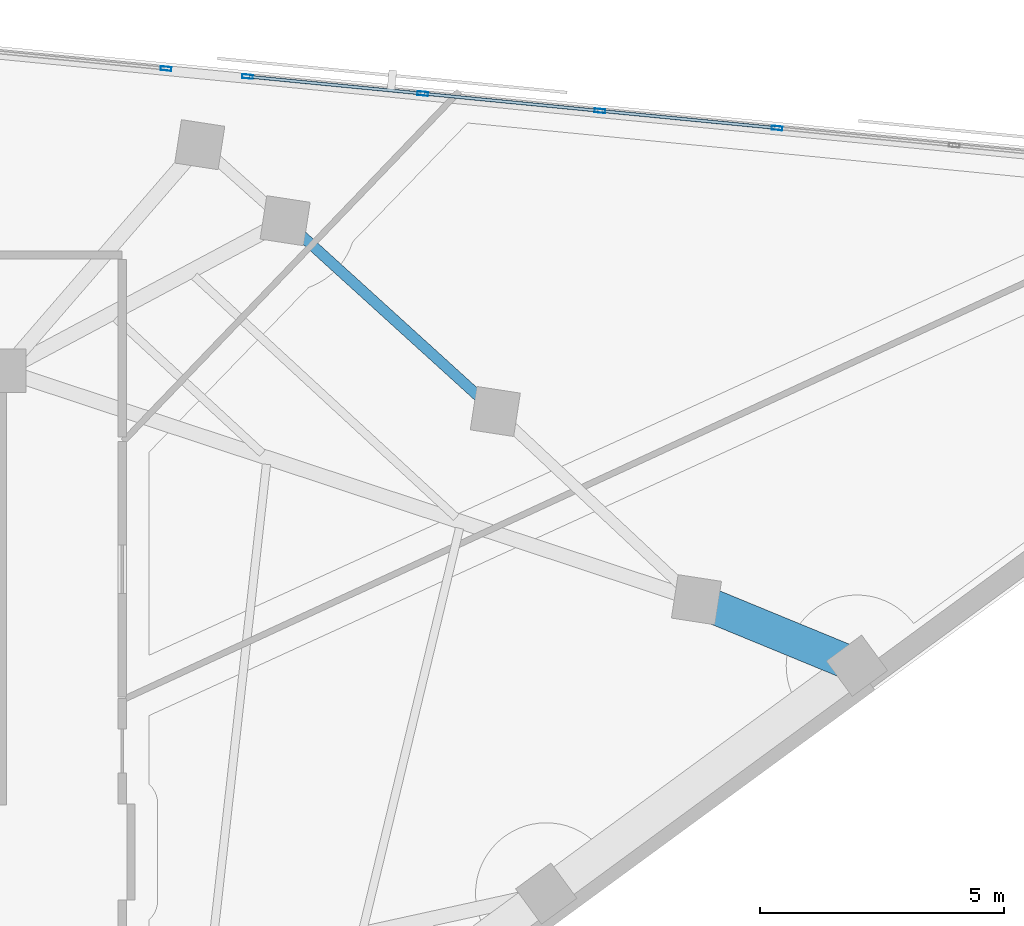
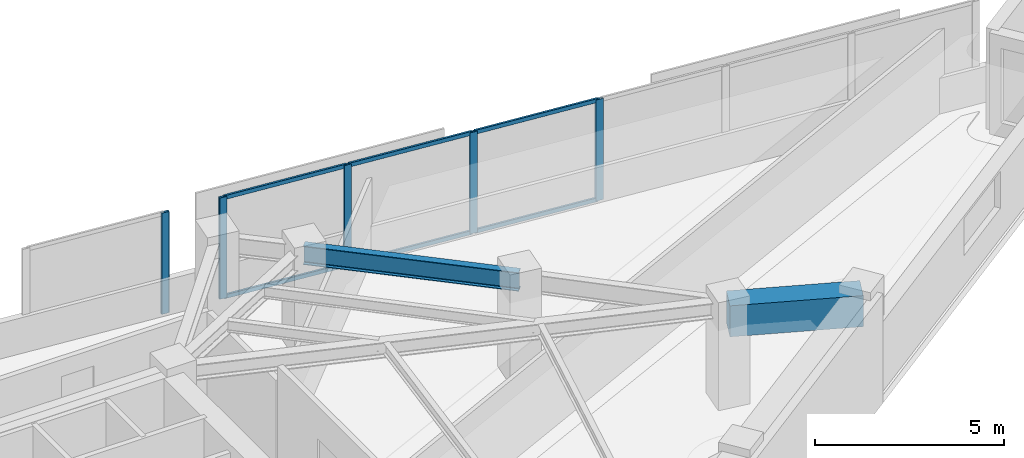
# One storey, part 5 of 13: 11 members, 2 beams, 2 elements without a shape of their own.
"""IFC4 building model written with IfcOpenShell, lengths in metres."""

from ifc_helpers import new_model, si_unit, direction, frame, origin, origin_2d, place, context, subcontext, project, spatial, rectangle, hollow_rectangle, i_section, extrude, material, material_profile, profile_set, type_object, element, aggregate, save


model = new_model("IFC4")

# Units and contexts
model_context = context("Model", 3, precision=1e-05, world=origin(), true_north=direction((0.0, 1.0)))
body_context = subcontext(model_context, "Body", "Model", "MODEL_VIEW")
ifc_project = project(units=[si_unit("LENGTHUNIT", "METRE"), si_unit("AREAUNIT", "SQUARE_METRE"), si_unit("VOLUMEUNIT", "CUBIC_METRE"), si_unit("PLANEANGLEUNIT", "RADIAN"), si_unit("MASSUNIT", "GRAM", prefix="KILO")], contexts=[model_context])

# Site, building, storey
site_placement = place(None, origin())
site = spatial("IfcSite", under=ifc_project, at=site_placement, CompositionType="ELEMENT")
building_placement = place(site_placement, origin())
building = spatial("IfcBuilding", under=site, at=building_placement, Name="Narakoshi Arena Tower", CompositionType="ELEMENT")
storey_placement = place(building_placement, frame((0.0, 0.0, 239.6201171875)))
storey = spatial("IfcBuildingStorey", under=building, at=storey_placement, Name="L65", CompositionType="ELEMENT", Elevation=239.6201171875)

# Beams
ifc_material_1 = material(Name="Concrete C60/75", Category="concrete")
ifc_material_profile_1 = material_profile(ifc_material_1, rectangle(XDim=0.699951171875, YDim=1.0, at=origin_2d()), Name="RCB700x1000")
ifc_profile_set_1 = profile_set([ifc_material_profile_1], Name="Concrete C60/75")
beam_type_1 = type_object("IfcBeamType", Name="BM-CPL-1000", PredefinedType="BEAM", material=ifc_profile_set_1)
beam_1_placement = place(storey_placement, frame((103.032470703125, 50.45361328125, 2.759765625), z_axis=(-0.924787502584, 0.380484001063, 0.0), x_axis=(-0.380484001063, -0.924787502584, 0.0)))
element("IfcBeam", 1, at=beam_1_placement, inside=storey, type_object=beam_type_1, Name="L65 Perimeter Edge Girder 03", PredefinedType="BEAM", context=body_context, shape_type="SweptSolid", body=[
    extrude(rectangle(XDim=0.699951171875, YDim=1.0, at=origin_2d()), origin(), (0.0, 0.0, 1.0), 3.557373046875),
])
ifc_material_2 = material(Name="Structural steel S355J2", Category="steel")
ifc_material_profile_2 = material_profile(ifc_material_2, i_section(OverallWidth=0.219970703125, OverallDepth=0.60009765625, WebThickness=0.011962890625, FlangeThickness=0.01904296875, FilletRadius=0.02392578125, at=origin_2d()), Name="IPE600")
ifc_profile_set_2 = profile_set([ifc_material_profile_2], Name="Structural steel S355J2")
beam_type_2 = type_object("IfcBeamType", Name="BM-EDGE-600", PredefinedType="BEAM", material=ifc_profile_set_2)
beam_2_placement = place(storey_placement, frame((95.619384765625, 55.665283203125, 2.9599609375), z_axis=(-0.740395559013, 0.672171418757, 0.0), x_axis=(-0.672171418757, -0.740395559013, 0.0)))
element("IfcBeam", 2, at=beam_2_placement, inside=storey, type_object=beam_type_2, Name="L65 Perimeter Edge Girder 05", PredefinedType="BEAM", context=body_context, shape_type="SweptSolid", body=[
    extrude(i_section(OverallWidth=0.219970703125, OverallDepth=0.60009765625, WebThickness=0.011962890625, FlangeThickness=0.01904296875, FilletRadius=0.02392578125, at=origin_2d()), origin(), (0.0, 0.0, 1.0), 5.818603515625),
])

# Curtain wall, members
ifc_material_3 = material(Name="Anodised bronze aluminium 6063-T6", Category="aluminium")
curtain_wall_type = type_object("IfcCurtainWallType", Name="CW-HYP-HIGH", PredefinedType="NOTDEFINED", material=ifc_material_3)
curtain_wall_1_placement = place(storey_placement, origin())
curtain_wall_1 = element("IfcCurtainWall", 3, at=curtain_wall_1_placement, inside=storey, type_object=curtain_wall_type, Name="L65 Folded Hypotenuse Curtain Wall 1-1", PredefinedType="NOTDEFINED")
ifc_material_profile_3 = material_profile(ifc_material_3, hollow_rectangle(XDim=0.080078125, YDim=0.219970703125, WallThickness=0.0048828125, OuterFilletRadius=0.006103515625, at=origin_2d()), Name="MUL220x80x5")
ifc_profile_set_3 = profile_set([ifc_material_profile_3], Name="Anodised bronze aluminium 6063-T6")
member_type_1 = type_object("IfcMemberType", Name="MEM-MUL-220", PredefinedType="MULLION", material=ifc_profile_set_3)
member_1_placement = place(storey_placement, frame((101.3955078125, 61.47509765625, 0.0), z_axis=(0.0, 0.0, 1.0), x_axis=(-0.096851320996, -0.995298860454, 0.0)))
member_1 = element("IfcMember", 4, at=member_1_placement, type_object=member_type_1, Name="CW-03 mullion 4", PredefinedType="MULLION", context=body_context, shape_type="SweptSolid", body=[
    extrude(hollow_rectangle(XDim=0.080078125, YDim=0.219970703125, WallThickness=0.0048828125, OuterFilletRadius=0.006103515625, at=origin_2d()), origin(), (0.0, 0.0, 1.0), 3.259765625),
])
member_2_placement = place(storey_placement, frame((97.763916015625, 61.828369140625, 0.0), z_axis=(0.0, 0.0, 1.0), x_axis=(-0.096851320996, -0.995298860454, 0.0)))
member_2 = element("IfcMember", 5, at=member_2_placement, type_object=member_type_1, Name="CW-03 mullion 5", PredefinedType="MULLION", context=body_context, shape_type="SweptSolid", body=[
    extrude(hollow_rectangle(XDim=0.080078125, YDim=0.219970703125, WallThickness=0.0048828125, OuterFilletRadius=0.006103515625, at=origin_2d()), origin(), (0.0, 0.0, 1.0), 3.259765625),
])
member_3_placement = place(storey_placement, frame((94.13232421875, 62.181884765625, 0.0), z_axis=(0.0, 0.0, 1.0), x_axis=(-0.096851320996, -0.995298860454, 0.0)))
member_3 = element("IfcMember", 6, at=member_3_placement, type_object=member_type_1, Name="CW-03 mullion 6", PredefinedType="MULLION", context=body_context, shape_type="SweptSolid", body=[
    extrude(hollow_rectangle(XDim=0.080078125, YDim=0.219970703125, WallThickness=0.0048828125, OuterFilletRadius=0.006103515625, at=origin_2d()), origin(), (0.0, 0.0, 1.0), 3.259765625),
])
member_4_placement = place(storey_placement, frame((90.54052734375, 62.53125, 0.0), z_axis=(0.0, 0.0, 1.0), x_axis=(-0.096851320996, -0.995298860454, 0.0)))
member_4 = element("IfcMember", 7, at=member_4_placement, type_object=member_type_1, Name="CW-03 mullion 7", PredefinedType="MULLION", context=body_context, shape_type="SweptSolid", body=[
    extrude(hollow_rectangle(XDim=0.080078125, YDim=0.219970703125, WallThickness=0.0048828125, OuterFilletRadius=0.006103515625, at=origin_2d()), origin(), (0.0, 0.0, 1.0), 3.259765625),
])

# Curtain wall, member
curtain_wall_2_placement = place(storey_placement, origin())
curtain_wall_2 = element("IfcCurtainWall", 8, at=curtain_wall_2_placement, inside=storey, type_object=curtain_wall_type, Name="L65 Folded Hypotenuse Curtain Wall 1-2", PredefinedType="NOTDEFINED")
member_5_placement = place(storey_placement, frame((88.87060546875, 62.69384765625, 0.0), z_axis=(0.0, 0.0, 1.0), x_axis=(-0.096842858471, -0.995299683896, 0.0)))
member_5 = element("IfcMember", 9, at=member_5_placement, type_object=member_type_1, Name="CW-03 mullion 1", PredefinedType="MULLION", context=body_context, shape_type="SweptSolid", body=[
    extrude(hollow_rectangle(XDim=0.080078125, YDim=0.219970703125, WallThickness=0.0048828125, OuterFilletRadius=0.006103515625, at=origin_2d()), origin(), (0.0, 0.0, 1.0), 3.259765625),
])
aggregate(curtain_wall_2, [member_5])

# Member
ifc_material_profile_4 = material_profile(ifc_material_3, hollow_rectangle(XDim=0.06494140625, YDim=0.1298828125, WallThickness=0.00390625, OuterFilletRadius=0.0048828125, at=origin_2d()), Name="TRN130x65x4")
ifc_profile_set_4 = profile_set([ifc_material_profile_4], Name="Anodised bronze aluminium 6063-T6")
member_type_2 = type_object("IfcMemberType", Name="MEM-TRN-130", PredefinedType="USERDEFINED", material=ifc_profile_set_4)
member_6_placement = place(storey_placement, frame((101.355712890625, 61.47900390625, 0.032470703125), z_axis=(-0.995303775278, 0.096800800194, 0.0), x_axis=(-0.096800800194, -0.995303775278, 0.0)))
member_6 = element("IfcMember", 10, at=member_6_placement, type_object=member_type_2, Name="CW-03 transom 4.1", ObjectType="TRANSOM", PredefinedType="USERDEFINED", context=body_context, shape_type="SweptSolid", body=[
    extrude(hollow_rectangle(XDim=0.06494140625, YDim=0.1298828125, WallThickness=0.00390625, OuterFilletRadius=0.0048828125, at=origin_2d()), origin(), (0.0, 0.0, 1.0), 3.56884765625),
])

member_7_placement = place(storey_placement, frame((101.355712890625, 61.47900390625, 3.227294921875), z_axis=(-0.995303775278, 0.096800800194, 0.0), x_axis=(-0.096800800194, -0.995303775278, 0.0)))
member_7 = element("IfcMember", 11, at=member_7_placement, type_object=member_type_2, Name="CW-03 transom 4.2", ObjectType="TRANSOM", PredefinedType="USERDEFINED", context=body_context, shape_type="SweptSolid", body=[
    extrude(hollow_rectangle(XDim=0.06494140625, YDim=0.1298828125, WallThickness=0.00390625, OuterFilletRadius=0.0048828125, at=origin_2d()), origin(), (0.0, 0.0, 1.0), 3.56884765625),
])

member_8_placement = place(storey_placement, frame((97.72412109375, 61.832275390625, 0.032470703125), z_axis=(-0.995297181926, 0.096868568947, 0.0), x_axis=(-0.096868568947, -0.995297181926, 0.0)))
member_8 = element("IfcMember", 12, at=member_8_placement, type_object=member_type_2, Name="CW-03 transom 5.1", ObjectType="TRANSOM", PredefinedType="USERDEFINED", context=body_context, shape_type="SweptSolid", body=[
    extrude(hollow_rectangle(XDim=0.06494140625, YDim=0.1298828125, WallThickness=0.00390625, OuterFilletRadius=0.0048828125, at=origin_2d()), origin(), (0.0, 0.0, 1.0), 3.56884765625),
])

member_9_placement = place(storey_placement, frame((97.72412109375, 61.832275390625, 3.227294921875), z_axis=(-0.995297181926, 0.096868568947, 0.0), x_axis=(-0.096868568947, -0.995297181926, 0.0)))
member_9 = element("IfcMember", 13, at=member_9_placement, type_object=member_type_2, Name="CW-03 transom 5.2", ObjectType="TRANSOM", PredefinedType="USERDEFINED", context=body_context, shape_type="SweptSolid", body=[
    extrude(hollow_rectangle(XDim=0.06494140625, YDim=0.1298828125, WallThickness=0.00390625, OuterFilletRadius=0.0048828125, at=origin_2d()), origin(), (0.0, 0.0, 1.0), 3.56884765625),
])

member_10_placement = place(storey_placement, frame((94.092529296875, 62.185791015625, 0.032470703125), z_axis=(-0.995304755232, 0.096790723799, 0.0), x_axis=(-0.096790723799, -0.995304755232, 0.0)))
member_10 = element("IfcMember", 14, at=member_10_placement, type_object=member_type_2, Name="CW-03 transom 6.1", ObjectType="TRANSOM", PredefinedType="USERDEFINED", context=body_context, shape_type="SweptSolid", body=[
    extrude(hollow_rectangle(XDim=0.06494140625, YDim=0.1298828125, WallThickness=0.00390625, OuterFilletRadius=0.0048828125, at=origin_2d()), origin(), (0.0, 0.0, 1.0), 3.52880859375),
])

member_11_placement = place(storey_placement, frame((94.092529296875, 62.185791015625, 3.227294921875), z_axis=(-0.995304755232, 0.096790723799, 0.0), x_axis=(-0.096790723799, -0.995304755232, 0.0)))
member_11 = element("IfcMember", 15, at=member_11_placement, type_object=member_type_2, Name="CW-03 transom 6.2", ObjectType="TRANSOM", PredefinedType="USERDEFINED", context=body_context, shape_type="SweptSolid", body=[
    extrude(hollow_rectangle(XDim=0.06494140625, YDim=0.1298828125, WallThickness=0.00390625, OuterFilletRadius=0.0048828125, at=origin_2d()), origin(), (0.0, 0.0, 1.0), 3.52880859375),
])

aggregate(curtain_wall_1, [member_1, member_2, member_3, member_4, member_6, member_7, member_8, member_9, member_10, member_11])

save(model, "model.ifc")
